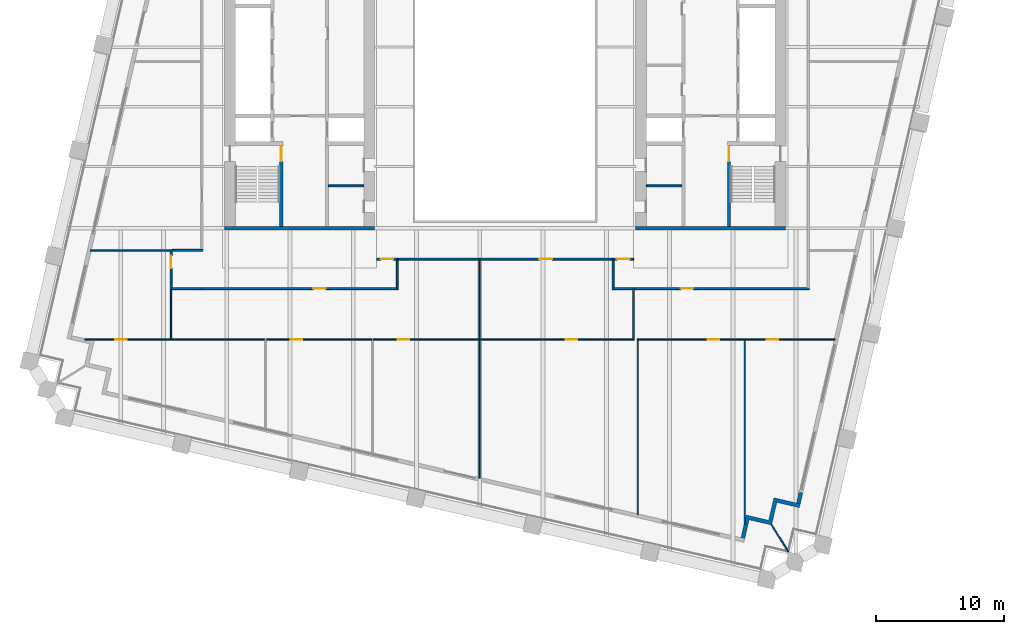
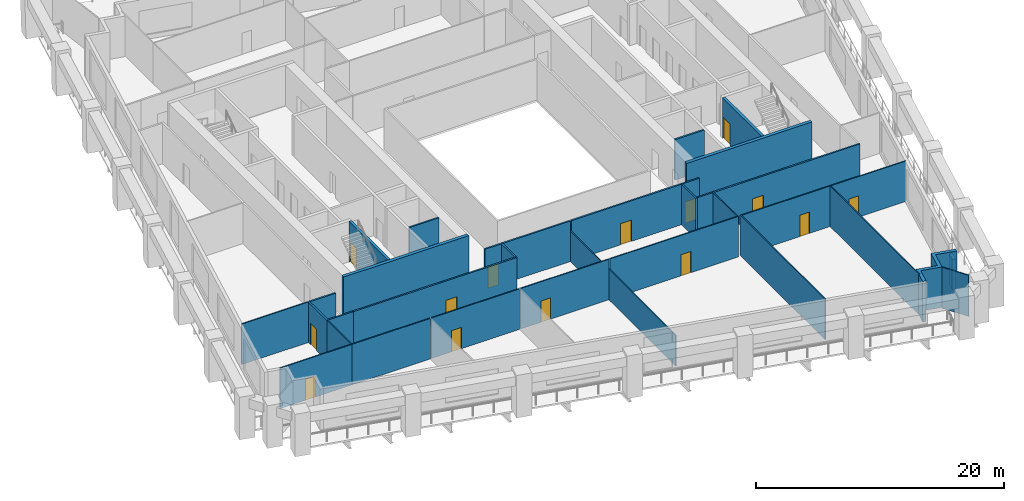
# One storey, part 4 of 10: 35 walls, 14 doors, 14 openings.
"""IFC4 building model written with IfcOpenShell, lengths in metres."""

from ifc_helpers import new_model, si_unit, direction, frame, frame_2d, origin, place, context, subcontext, project, spatial, polyline, rectangle, outline, extrude, material, layer, layer_set, type_object, element, fill, save


model = new_model("IFC4")

# Units and contexts
model_context = context("Model", 3, precision=1e-05, world=origin(), true_north=direction((0.0, 1.0)))
body_context = subcontext(model_context, "Body", "Model", "MODEL_VIEW")
ifc_project = project(units=[si_unit("LENGTHUNIT", "METRE"), si_unit("AREAUNIT", "SQUARE_METRE"), si_unit("VOLUMEUNIT", "CUBIC_METRE"), si_unit("PLANEANGLEUNIT", "RADIAN"), si_unit("MASSUNIT", "GRAM", prefix="KILO")], contexts=[model_context])

# Site, building, storey
site_placement = place(None, origin())
site = spatial("IfcSite", under=ifc_project, at=site_placement, CompositionType="ELEMENT")
building_placement = place(site_placement, origin())
building = spatial("IfcBuilding", under=site, at=building_placement, Name="Ogive Exchange Tower", CompositionType="ELEMENT")
storey_placement = place(building_placement, frame((0.0, 0.0, 147.60009765625)))
storey = spatial("IfcBuildingStorey", under=building, at=storey_placement, Name="L32", CompositionType="ELEMENT", Elevation=147.60009765625)

# Walls
ifc_material_1 = material(Name="Gypsum board partition")
ifc_layer_1 = layer(ifc_material_1, 0.14990234375)
ifc_layer_set_1 = layer_set([ifc_layer_1], Name="Core room partition 150 gypsum")
wall_type_1 = type_object("IfcWallType", Name="Core room partition 150 gypsum", PredefinedType="PARTITIONING", material=ifc_layer_set_1)
for number, where, z_axis, x_axis, name in (
    (1, (-13.75, 0.699951171875, 0.0), (0.0, 0.0, 1.0), (1.0, 0.0, 0.0), "W south room partition"),
    (2, (11.0, 0.699951171875, 0.0), (0.0, 0.0, 1.0), (1.0, 0.0, 0.0), "E south room partition"),
):
    element("IfcWall", number, at=place(storey_placement, frame(where, z_axis=z_axis, x_axis=x_axis)), inside=storey, type_object=wall_type_1, Name=name, PredefinedType="PARTITIONING", context=body_context, shape_type="SweptSolid", body=[
        extrude(rectangle(XDim=2.75, YDim=0.14990234375, at=frame_2d((1.375, 0.0))), origin(), (0.0, 0.0, 1.0), 4.0),
    ])

# Wall, opening, door
ifc_material_2 = material(Name="Fire partition EI 60 150")
ifc_layer_2 = layer(ifc_material_2, 0.14990234375)
ifc_layer_set_2 = layer_set([ifc_layer_2], Name="Fire partition EI 60 150")
wall_type_2 = type_object("IfcWallType", Name="Fire partition EI 60 150", PredefinedType="PARTITIONING", material=ifc_layer_set_2)
wall_1_placement = place(storey_placement, frame((-26.0, -7.364990234375, 0.0), z_axis=(0.0, 0.0, 1.0), x_axis=(0.0, 1.0, 0.0)))
wall_1 = element("IfcWall", 3, at=wall_1_placement, inside=storey, type_object=wall_type_2, Name="L32-PWL-003", PredefinedType="PARTITIONING", context=body_context, shape_type="SweptSolid", body=[
    extrude(rectangle(XDim=3.094970703125, YDim=0.14990234375, at=frame_2d((1.54736328125, 0.0))), origin(), (0.0, 0.0, 1.0), 4.0),
])
opening_1_placement = place(wall_1_placement, frame((1.64501953125, 0.0, 0.0)))
opening_1 = element("IfcOpeningElement", 4, at=opening_1_placement, cuts=wall_1, Name="Opening L32-I16", PredefinedType="OPENING", context=body_context, shape_type="SweptSolid", body=[
    extrude(rectangle(XDim=1.0, YDim=2.10009765625, at=frame_2d((0.5, 1.050048828125))), frame((0.0, 0.0849609375, 0.0), z_axis=(0.0, -1.0, 0.0), x_axis=(1.0, 0.0, 0.0)), (0.0, 0.0, 1.0), 0.169921875),
])
ifc_material_3 = material(Name="Fire door FD 30S 1000 x 2100")
door_type_1 = type_object("IfcDoorType", Name="Fire door FD 30S 1000 x 2100", OperationType="NOTDEFINED", PredefinedType="DOOR", material=ifc_material_3)
door_1_placement = place(opening_1_placement, origin())
door_1 = element("IfcDoor", 5, at=door_1_placement, inside=storey, type_object=door_type_1, Name="L32-IDR-016", ObjectType="DT3", OperationType="SINGLE_SWING_LEFT", OverallHeight=2.10009765625, OverallWidth=1.0, PredefinedType="DOOR", context=body_context, shape_type="SweptSolid", body=[
    extrude(rectangle(XDim=1.0, YDim=2.10009765625, at=frame_2d((0.5, 1.050048828125))), frame((0.0, 0.02490234375, 0.0), z_axis=(0.0, -1.0, 0.0), x_axis=(1.0, 0.0, 0.0)), (0.0, 0.0, 1.0), 0.050048828125),
])
fill(opening_1, door_1)

# Walls
wall_2_placement = place(storey_placement, frame((-25.925048828125, -4.320068359375, 0.0), z_axis=(0.0, 0.0, 1.0), x_axis=(1.0, 0.0, 0.0)))
element("IfcWall", 6, at=wall_2_placement, inside=storey, type_object=wall_type_2, Name="L32-PWL-005", PredefinedType="PARTITIONING", context=body_context, shape_type="SweptSolid", body=[
    extrude(rectangle(XDim=2.400146484375, YDim=0.14990234375, at=frame_2d((1.2001953125, 0.0))), origin(), (0.0, 0.0, 1.0), 4.0),
])
wall_3_placement = place(storey_placement, frame((-23.60009765625, -7.2900390625, 0.0), z_axis=(0.0, 0.0, 1.0), x_axis=(-1.0, 0.0, 0.0)))
element("IfcWall", 7, at=wall_3_placement, inside=storey, type_object=wall_type_2, Name="L32-PWL-007", PredefinedType="PARTITIONING", context=body_context, shape_type="SweptSolid", body=[
    extrude(rectangle(XDim=2.349853515625, YDim=0.14990234375, at=frame_2d((1.1748046875, 0.0))), origin(), (0.0, 0.0, 1.0), 4.0),
])

# Wall, opening, door
wall_4_placement = place(storey_placement, frame((-8.324951171875, -7.300048828125, 0.0), z_axis=(0.0, 0.0, 1.0), x_axis=(-1.0, 0.0, 0.0)))
wall_4 = element("IfcWall", 8, at=wall_4_placement, inside=storey, type_object=wall_type_2, Name="L32-PWL-021", PredefinedType="PARTITIONING", context=body_context, shape_type="SweptSolid", body=[
    extrude(rectangle(XDim=15.275146484375, YDim=0.14990234375, at=frame_2d((7.6376953125, 0.0))), origin(), (0.0, 0.0, 1.0), 4.0),
])
opening_2_placement = place(wall_4_placement, frame((5.625, 0.0, 0.0)))
opening_2 = element("IfcOpeningElement", 9, at=opening_2_placement, cuts=wall_4, Name="Opening L32-I15", PredefinedType="OPENING", context=body_context, shape_type="SweptSolid", body=[
    extrude(rectangle(XDim=1.0, YDim=2.10009765625, at=frame_2d((0.5, 1.050048828125))), frame((0.0, 0.0849609375, 0.0), z_axis=(0.0, -1.0, 0.0), x_axis=(1.0, 0.0, 0.0)), (0.0, 0.0, 1.0), 0.169921875),
])
door_2_placement = place(opening_2_placement, origin())
door_2 = element("IfcDoor", 10, at=door_2_placement, inside=storey, type_object=door_type_1, Name="L32-IDR-015", ObjectType="DT3", OperationType="SINGLE_SWING_LEFT", OverallHeight=2.10009765625, OverallWidth=1.0, PredefinedType="DOOR", context=body_context, shape_type="SweptSolid", body=[
    extrude(rectangle(XDim=1.0, YDim=2.10009765625, at=frame_2d((0.5, 1.050048828125))), frame((0.0, 0.02490234375, 0.0), z_axis=(0.0, -1.0, 0.0), x_axis=(1.0, 0.0, 0.0)), (0.0, 0.0, 1.0), 0.050048828125),
])
fill(opening_2, door_2)

# Walls
wall_5_placement = place(storey_placement, frame((-8.39990234375, -4.925048828125, 0.0), z_axis=(0.0, 0.0, 1.0), x_axis=(0.0, -1.0, 0.0)))
element("IfcWall", 11, at=wall_5_placement, inside=storey, type_object=wall_type_2, Name="L32-PWL-022", PredefinedType="PARTITIONING", context=body_context, shape_type="SweptSolid", body=[
    extrude(rectangle(XDim=2.300048828125, YDim=0.14990234375, at=frame_2d((1.14990234375, 0.0))), origin(), (0.0, 0.0, 1.0), 4.0),
])
wall_6_placement = place(storey_placement, frame((-2.0400390625, -5.0, 0.0), z_axis=(0.0, 0.0, 1.0), x_axis=(-1.0, 0.0, 0.0)))
element("IfcWall", 12, at=wall_6_placement, inside=storey, type_object=wall_type_2, Name="L32-PWL-036", PredefinedType="PARTITIONING", context=body_context, shape_type="SweptSolid", body=[
    extrude(rectangle(XDim=6.284912109375, YDim=0.14990234375, at=frame_2d((3.142578125, 0.0))), origin(), (0.0, 0.0, 1.0), 4.0),
])
wall_7_placement = place(storey_placement, frame((8.39990234375, -7.375, 0.0), z_axis=(0.0, 0.0, 1.0), x_axis=(0.0, 1.0, 0.0)))
element("IfcWall", 13, at=wall_7_placement, inside=storey, type_object=wall_type_2, Name="L32-PWL-041", PredefinedType="PARTITIONING", context=body_context, shape_type="SweptSolid", body=[
    extrude(rectangle(XDim=2.449951171875, YDim=0.14990234375, at=frame_2d((1.22509765625, 0.0))), origin(), (0.0, 0.0, 1.0), 4.0),
])

# Wall, opening, door
wall_8_placement = place(storey_placement, frame((8.324951171875, -5.0, 0.0), z_axis=(0.0, 0.0, 1.0), x_axis=(-1.0, 0.0, 0.0)))
wall_8 = element("IfcWall", 14, at=wall_8_placement, inside=storey, type_object=wall_type_2, Name="L32-PWL-042", PredefinedType="PARTITIONING", context=body_context, shape_type="SweptSolid", body=[
    extrude(rectangle(XDim=10.264892578125, YDim=0.14990234375, at=frame_2d((5.13232421875, 0.0))), origin(), (0.0, 0.0, 1.0), 4.0),
])
opening_3_placement = place(wall_8_placement, frame((4.6650390625, 0.0, 0.0)))
opening_3 = element("IfcOpeningElement", 15, at=opening_3_placement, cuts=wall_8, Name="Opening L32-I14", PredefinedType="OPENING", context=body_context, shape_type="SweptSolid", body=[
    extrude(rectangle(XDim=1.0, YDim=2.10009765625, at=frame_2d((0.5, 1.050048828125))), frame((0.0, 0.0849609375, 0.0), z_axis=(0.0, -1.0, 0.0), x_axis=(1.0, 0.0, 0.0)), (0.0, 0.0, 1.0), 0.169921875),
])
door_3_placement = place(opening_3_placement, origin())
door_3 = element("IfcDoor", 16, at=door_3_placement, inside=storey, type_object=door_type_1, Name="L32-IDR-014", ObjectType="DT3", OperationType="SINGLE_SWING_LEFT", OverallHeight=2.10009765625, OverallWidth=1.0, PredefinedType="DOOR", context=body_context, shape_type="SweptSolid", body=[
    extrude(rectangle(XDim=1.0, YDim=2.10009765625, at=frame_2d((0.5, 1.050048828125))), frame((0.0, 0.02490234375, 0.0), z_axis=(0.0, -1.0, 0.0), x_axis=(1.0, 0.0, 0.0)), (0.0, 0.0, 1.0), 0.050048828125),
])
fill(opening_3, door_3)

# Wall
wall_9_placement = place(storey_placement, frame((9.949951171875, -7.300048828125, 0.0), z_axis=(0.0, 0.0, 1.0), x_axis=(-1.0, 0.0, 0.0)))
element("IfcWall", 17, at=wall_9_placement, inside=storey, type_object=wall_type_2, Name="L32-PWL-048", PredefinedType="PARTITIONING", context=body_context, shape_type="SweptSolid", body=[
    extrude(rectangle(XDim=1.474853515625, YDim=0.14990234375, at=frame_2d((0.7373046875, 0.0))), origin(), (0.0, 0.0, 1.0), 4.0),
])

# Wall, opening, door
wall_10_placement = place(storey_placement, frame((23.675048828125, -7.300048828125, 0.0), z_axis=(0.0, 0.0, 1.0), x_axis=(-1.0, 0.0, 0.0)))
wall_10 = element("IfcWall", 18, at=wall_10_placement, inside=storey, type_object=wall_type_2, Name="L32-PWL-054", PredefinedType="PARTITIONING", context=body_context, shape_type="SweptSolid", body=[
    extrude(rectangle(XDim=13.625, YDim=0.14990234375, at=frame_2d((6.8125, 0.0))), origin(), (0.0, 0.0, 1.0), 4.0),
])
opening_4_placement = place(wall_10_placement, frame((9.02490234375, 0.0, 0.0)))
opening_4 = element("IfcOpeningElement", 19, at=opening_4_placement, cuts=wall_10, Name="Opening L32-I13", PredefinedType="OPENING", context=body_context, shape_type="SweptSolid", body=[
    extrude(rectangle(XDim=1.0, YDim=2.10009765625, at=frame_2d((0.5, 1.050048828125))), frame((0.0, 0.0849609375, 0.0), z_axis=(0.0, -1.0, 0.0), x_axis=(1.0, 0.0, 0.0)), (0.0, 0.0, 1.0), 0.169921875),
])
door_4_placement = place(opening_4_placement, origin())
door_4 = element("IfcDoor", 20, at=door_4_placement, inside=storey, type_object=door_type_1, Name="L32-IDR-013", ObjectType="DT3", OperationType="SINGLE_SWING_LEFT", OverallHeight=2.10009765625, OverallWidth=1.0, PredefinedType="DOOR", context=body_context, shape_type="SweptSolid", body=[
    extrude(rectangle(XDim=1.0, YDim=2.10009765625, at=frame_2d((0.5, 1.050048828125))), frame((0.0, 0.02490234375, 0.0), z_axis=(0.0, -1.0, 0.0), x_axis=(1.0, 0.0, 0.0)), (0.0, 0.0, 1.0), 0.050048828125),
])
fill(opening_4, door_4)

wall_11_placement = place(storey_placement, frame((-8.39990234375, -5.0, 0.0), z_axis=(0.0, 0.0, 1.0), x_axis=(-1.0, 0.0, 0.0)))
wall_11 = element("IfcWall", 21, at=wall_11_placement, inside=storey, type_object=wall_type_2, Name="L32-PWL-065", PredefinedType="PARTITIONING", context=body_context, shape_type="SweptSolid", body=[
    extrude(rectangle(XDim=1.60009765625, YDim=0.14990234375, at=frame_2d((0.800048828125, 0.0))), origin(), (0.0, 0.0, 1.0), 4.0),
])
opening_5_placement = place(wall_11_placement, frame((0.300048828125, 0.0, 0.0)))
opening_5 = element("IfcOpeningElement", 22, at=opening_5_placement, cuts=wall_11, Name="Opening L32-I24", PredefinedType="OPENING", context=body_context, shape_type="SweptSolid", body=[
    extrude(rectangle(XDim=1.0, YDim=2.10009765625, at=frame_2d((0.5, 1.050048828125))), frame((0.0, 0.0849609375, 0.0), z_axis=(0.0, -1.0, 0.0), x_axis=(1.0, 0.0, 0.0)), (0.0, 0.0, 1.0), 0.169921875),
])
door_5_placement = place(opening_5_placement, origin())
door_5 = element("IfcDoor", 23, at=door_5_placement, inside=storey, type_object=door_type_1, Name="L32-IDR-024", ObjectType="DT3", OperationType="SINGLE_SWING_RIGHT", OverallHeight=2.10009765625, OverallWidth=1.0, PredefinedType="DOOR", context=body_context, shape_type="SweptSolid", body=[
    extrude(rectangle(XDim=1.0, YDim=2.10009765625, at=frame_2d((0.5, 1.050048828125))), frame((0.0, 0.02490234375, 0.0), z_axis=(0.0, -1.0, 0.0), x_axis=(1.0, 0.0, 0.0)), (0.0, 0.0, 1.0), 0.050048828125),
])
fill(opening_5, door_5)

wall_12_placement = place(storey_placement, frame((10.0, -5.0, 0.0), z_axis=(0.0, 0.0, 1.0), x_axis=(-1.0, 0.0, 0.0)))
wall_12 = element("IfcWall", 24, at=wall_12_placement, inside=storey, type_object=wall_type_2, Name="L32-PWL-067", PredefinedType="PARTITIONING", context=body_context, shape_type="SweptSolid", body=[
    extrude(rectangle(XDim=1.60009765625, YDim=0.14990234375, at=frame_2d((0.800048828125, 0.0))), origin(), (0.0, 0.0, 1.0), 4.0),
])
opening_6_placement = place(wall_12_placement, frame((0.300048828125, 0.0, 0.0)))
opening_6 = element("IfcOpeningElement", 25, at=opening_6_placement, cuts=wall_12, Name="Opening L32-I26", PredefinedType="OPENING", context=body_context, shape_type="SweptSolid", body=[
    extrude(rectangle(XDim=1.0, YDim=2.10009765625, at=frame_2d((0.5, 1.050048828125))), frame((0.0, 0.0849609375, 0.0), z_axis=(0.0, -1.0, 0.0), x_axis=(1.0, 0.0, 0.0)), (0.0, 0.0, 1.0), 0.169921875),
])
door_6_placement = place(opening_6_placement, origin())
door_6 = element("IfcDoor", 26, at=door_6_placement, inside=storey, type_object=door_type_1, Name="L32-IDR-026", ObjectType="DT3", OperationType="SINGLE_SWING_LEFT", OverallHeight=2.10009765625, OverallWidth=1.0, PredefinedType="DOOR", context=body_context, shape_type="SweptSolid", body=[
    extrude(rectangle(XDim=1.0, YDim=2.10009765625, at=frame_2d((0.5, 1.050048828125))), frame((0.0, 0.02490234375, 0.0), z_axis=(0.0, -1.0, 0.0), x_axis=(1.0, 0.0, 0.0)), (0.0, 0.0, 1.0), 0.050048828125),
])
fill(opening_6, door_6)

# Walls
ifc_material_4 = material(Name="Precast concrete C40/50", Category="concrete")
ifc_layer_3 = layer(ifc_material_4, 0.300048828125)
ifc_layer_set_3 = layer_set([ifc_layer_3], Name="Limestone-faced wall 300")
wall_type_3 = type_object("IfcWallType", Name="Limestone-faced wall 300", PredefinedType="STANDARD", material=ifc_layer_set_3)
wall_13_placement = place(storey_placement, frame((22.8203125, -24.015625, 0.0), z_axis=(0.0, 0.0, 1.0), x_axis=(0.225107657095, 0.974333896935, 0.0)))
element("IfcWall", 27, at=wall_13_placement, inside=storey, type_object=wall_type_3, Name="External wall E2", PredefinedType="STANDARD", context=body_context, shape_type="SweptSolid", body=[
    extrude(rectangle(XDim=0.8623046875, YDim=0.300048828125, at=frame_2d((0.43115234375, 0.0))), origin(), (0.0, 0.0, 1.0), 3.02001953125),
])
wall_14_placement = place(storey_placement, origin())
element("IfcWall", 28, at=wall_14_placement, inside=storey, type_object=wall_type_3, Name="External corner wall C1", PredefinedType="STANDARD", context=body_context, shape_type="SweptSolid", body=[
    extrude(outline(polyline([(20.515380859375, -25.330810546875), (20.92041015625, -23.576904296875), (22.966552734375, -24.04931640625), (22.89892578125, -24.341552734375), (21.145263671875, -23.936767578125), (20.740234375, -25.690673828125), (18.986328125, -25.28564453125), (18.64892578125, -26.747314453125), (18.356689453125, -26.6796875), (18.76171875, -24.92578125), (20.515380859375, -25.330810546875)])), origin(), (0.0, 0.0, 1.0), 4.0),
])
ifc_material_5 = material(Name="Laminated safety glass in steel frame", Category="steel")
ifc_layer_4 = layer(ifc_material_5, 0.10009765625)
ifc_layer_set_4 = layer_set([ifc_layer_4], Name="Loggia end screen 100")
wall_type_4 = type_object("IfcWallType", Name="Loggia end screen 100", PredefinedType="STANDARD", material=ifc_layer_set_4)
wall_15_placement = place(storey_placement, frame((20.740234375, -25.690673828125, -0.050048828125), z_axis=(0.0, 0.0, 1.0), x_axis=(0.529972121605, -0.848015064914, 0.0)))
element("IfcWall", 29, at=wall_15_placement, inside=storey, type_object=wall_type_4, Name="Loggia end screen C1", PredefinedType="STANDARD", context=body_context, shape_type="SweptSolid", body=[
    extrude(rectangle(XDim=2.454833984375, YDim=0.10009765625, at=frame_2d((1.2275390625, 0.0))), origin(), (0.0, 0.0, 1.0), 4.050048828125),
])

# Wall, opening, door
ifc_material_6 = material(Name="Partition 100 gypsum")
ifc_layer_5 = layer(ifc_material_6, 0.10009765625)
ifc_layer_set_5 = layer_set([ifc_layer_5], Name="Partition 100 gypsum")
wall_type_5 = type_object("IfcWallType", Name="Partition 100 gypsum", PredefinedType="PARTITIONING", material=ifc_layer_set_5)
wall_16_placement = place(storey_placement, frame((-26.0, -11.25, 0.0), z_axis=(0.0, 0.0, 1.0), x_axis=(-1.0, 0.0, 0.0)))
wall_16 = element("IfcWall", 30, at=wall_16_placement, inside=storey, type_object=wall_type_5, Name="L32-PWL-001", PredefinedType="PARTITIONING", context=body_context, shape_type="SweptSolid", body=[
    extrude(rectangle(XDim=6.718017578125, YDim=0.10009765625, at=frame_2d((3.35888671875, 0.0))), origin(), (0.0, 0.0, 1.0), 4.0),
])
opening_7_placement = place(wall_16_placement, frame((3.449951171875, 0.0, 0.0)))
opening_7 = element("IfcOpeningElement", 31, at=opening_7_placement, cuts=wall_16, Name="Opening L32-I22", PredefinedType="OPENING", context=body_context, shape_type="SweptSolid", body=[
    extrude(rectangle(XDim=0.89990234375, YDim=2.10009765625, at=frame_2d((0.449951171875, 1.050048828125))), frame((0.0, 0.06005859375, 0.0), z_axis=(0.0, -1.0, 0.0), x_axis=(1.0, 0.0, 0.0)), (0.0, 0.0, 1.0), 0.1201171875),
])
ifc_material_7 = material(Name="Door 900 x 2100")
door_type_2 = type_object("IfcDoorType", Name="Door 900 x 2100", OperationType="NOTDEFINED", PredefinedType="DOOR", material=ifc_material_7)
door_7_placement = place(opening_7_placement, frame((0.89990234375, 0.0, 0.0), z_axis=(0.0, 0.0, 1.0), x_axis=(-1.0, 0.0, 0.0)))
door_7 = element("IfcDoor", 32, at=door_7_placement, inside=storey, type_object=door_type_2, Name="L32-IDR-022", ObjectType="DT1", OperationType="SINGLE_SWING_RIGHT", OverallHeight=2.10009765625, OverallWidth=0.89990234375, PredefinedType="DOOR", context=body_context, shape_type="SweptSolid", body=[
    extrude(rectangle(XDim=0.89990234375, YDim=2.10009765625, at=frame_2d((0.449951171875, 1.050048828125))), frame((0.0, 0.02490234375, 0.0), z_axis=(0.0, -1.0, 0.0), x_axis=(1.0, 0.0, 0.0)), (0.0, 0.0, 1.0), 0.050048828125),
])
fill(opening_7, door_7)

# Walls
wall_17_placement = place(storey_placement, frame((-26.0, -11.199951171875, 0.0), z_axis=(0.0, 0.0, 1.0), x_axis=(0.0, 1.0, 0.0)))
element("IfcWall", 33, at=wall_17_placement, inside=storey, type_object=wall_type_5, Name="L32-PWL-002", PredefinedType="PARTITIONING", context=body_context, shape_type="SweptSolid", body=[
    extrude(rectangle(XDim=3.8349609375, YDim=0.10009765625, at=frame_2d((1.91748046875, 0.0))), origin(), (0.0, 0.0, 1.0), 4.0),
])
wall_18_placement = place(storey_placement, frame((-26.074951171875, -4.320068359375, 0.0), z_axis=(0.0, 0.0, 1.0), x_axis=(-1.0, 0.0, 0.0)))
element("IfcWall", 34, at=wall_18_placement, inside=storey, type_object=wall_type_5, Name="L32-PWL-004", PredefinedType="PARTITIONING", context=body_context, shape_type="SweptSolid", body=[
    extrude(rectangle(XDim=6.217041015625, YDim=0.10009765625, at=frame_2d((3.1083984375, 0.0))), origin(), (0.0, 0.0, 1.0), 4.0),
])
wall_19_placement = place(storey_placement, frame((-18.699951171875, -11.25, 0.0), z_axis=(0.0, 0.0, 1.0), x_axis=(-1.0, 0.0, 0.0)))
element("IfcWall", 35, at=wall_19_placement, inside=storey, type_object=wall_type_5, Name="L32-PWL-014", PredefinedType="PARTITIONING", context=body_context, shape_type="SweptSolid", body=[
    extrude(rectangle(XDim=7.300048828125, YDim=0.10009765625, at=frame_2d((3.64990234375, 0.0))), origin(), (0.0, 0.0, 1.0), 4.0),
])

# Wall, opening, door
wall_20_placement = place(storey_placement, frame((-10.3701171875, -11.25, 0.0), z_axis=(0.0, 0.0, 1.0), x_axis=(-1.0, 0.0, 0.0)))
wall_20 = element("IfcWall", 36, at=wall_20_placement, inside=storey, type_object=wall_type_5, Name="L32-PWL-020", PredefinedType="PARTITIONING", context=body_context, shape_type="SweptSolid", body=[
    extrude(rectangle(XDim=8.22998046875, YDim=0.10009765625, at=frame_2d((4.114990234375, 0.0))), origin(), (0.0, 0.0, 1.0), 4.0),
])
opening_8_placement = place(wall_20_placement, frame((5.429931640625, 0.0, 0.0)))
opening_8 = element("IfcOpeningElement", 37, at=opening_8_placement, cuts=wall_20, Name="Opening L32-I21", PredefinedType="OPENING", context=body_context, shape_type="SweptSolid", body=[
    extrude(rectangle(XDim=0.89990234375, YDim=2.10009765625, at=frame_2d((0.449951171875, 1.050048828125))), frame((0.0, 0.06005859375, 0.0), z_axis=(0.0, -1.0, 0.0), x_axis=(1.0, 0.0, 0.0)), (0.0, 0.0, 1.0), 0.1201171875),
])
door_8_placement = place(opening_8_placement, origin())
door_8 = element("IfcDoor", 38, at=door_8_placement, inside=storey, type_object=door_type_2, Name="L32-IDR-021", ObjectType="DT1", OperationType="SINGLE_SWING_LEFT", OverallHeight=2.10009765625, OverallWidth=0.89990234375, PredefinedType="DOOR", context=body_context, shape_type="SweptSolid", body=[
    extrude(rectangle(XDim=0.89990234375, YDim=2.10009765625, at=frame_2d((0.449951171875, 1.050048828125))), frame((0.0, 0.02490234375, 0.0), z_axis=(0.0, -1.0, 0.0), x_axis=(1.0, 0.0, 0.0)), (0.0, 0.0, 1.0), 0.050048828125),
])
fill(opening_8, door_8)

# Wall
wall_21_placement = place(storey_placement, frame((-1.989990234375, -22.06494140625, 0.0), z_axis=(0.0, 0.0, 1.0), x_axis=(0.0, 1.0, 0.0)))
element("IfcWall", 39, at=wall_21_placement, inside=storey, type_object=wall_type_5, Name="L32-PWL-033", PredefinedType="PARTITIONING", context=body_context, shape_type="SweptSolid", body=[
    extrude(rectangle(XDim=10.864990234375, YDim=0.10009765625, at=frame_2d((5.4326171875, 0.0))), origin(), (0.0, 0.0, 1.0), 3.02001953125),
])

# Wall, opening, door
wall_22_placement = place(storey_placement, frame((-2.0400390625, -11.25, 0.0), z_axis=(0.0, 0.0, 1.0), x_axis=(-1.0, 0.0, 0.0)))
wall_22 = element("IfcWall", 40, at=wall_22_placement, inside=storey, type_object=wall_type_5, Name="L32-PWL-034", PredefinedType="PARTITIONING", context=body_context, shape_type="SweptSolid", body=[
    extrude(rectangle(XDim=8.22998046875, YDim=0.10009765625, at=frame_2d((4.114990234375, 0.0))), origin(), (0.0, 0.0, 1.0), 4.0),
])
opening_9_placement = place(wall_22_placement, frame((5.429931640625, 0.0, 0.0)))
opening_9 = element("IfcOpeningElement", 41, at=opening_9_placement, cuts=wall_22, Name="Opening L32-I20", PredefinedType="OPENING", context=body_context, shape_type="SweptSolid", body=[
    extrude(rectangle(XDim=0.89990234375, YDim=2.10009765625, at=frame_2d((0.449951171875, 1.050048828125))), frame((0.0, 0.06005859375, 0.0), z_axis=(0.0, -1.0, 0.0), x_axis=(1.0, 0.0, 0.0)), (0.0, 0.0, 1.0), 0.1201171875),
])
door_9_placement = place(opening_9_placement, origin())
door_9 = element("IfcDoor", 42, at=door_9_placement, inside=storey, type_object=door_type_2, Name="L32-IDR-020", ObjectType="DT1", OperationType="SINGLE_SWING_LEFT", OverallHeight=2.10009765625, OverallWidth=0.89990234375, PredefinedType="DOOR", context=body_context, shape_type="SweptSolid", body=[
    extrude(rectangle(XDim=0.89990234375, YDim=2.10009765625, at=frame_2d((0.449951171875, 1.050048828125))), frame((0.0, 0.02490234375, 0.0), z_axis=(0.0, -1.0, 0.0), x_axis=(1.0, 0.0, 0.0)), (0.0, 0.0, 1.0), 0.050048828125),
])
fill(opening_9, door_9)

# Wall
wall_23_placement = place(storey_placement, frame((-1.989990234375, -11.199951171875, 0.0), z_axis=(0.0, 0.0, 1.0), x_axis=(0.0, 1.0, 0.0)))
element("IfcWall", 43, at=wall_23_placement, inside=storey, type_object=wall_type_5, Name="L32-PWL-035", PredefinedType="PARTITIONING", context=body_context, shape_type="SweptSolid", body=[
    extrude(rectangle(XDim=6.27490234375, YDim=0.10009765625, at=frame_2d((3.137451171875, 0.0))), origin(), (0.0, 0.0, 1.0), 3.02001953125),
])

# Wall, opening, door
wall_24_placement = place(storey_placement, frame((10.050048828125, -11.25, 0.0), z_axis=(0.0, 0.0, 1.0), x_axis=(-1.0, 0.0, 0.0)))
wall_24 = element("IfcWall", 44, at=wall_24_placement, inside=storey, type_object=wall_type_5, Name="L32-PWL-046", PredefinedType="PARTITIONING", context=body_context, shape_type="SweptSolid", body=[
    extrude(rectangle(XDim=11.989990234375, YDim=0.10009765625, at=frame_2d((5.9951171875, 0.0))), origin(), (0.0, 0.0, 1.0), 4.0),
])
opening_10_placement = place(wall_24_placement, frame((4.43994140625, 0.0, 0.0)))
opening_10 = element("IfcOpeningElement", 45, at=opening_10_placement, cuts=wall_24, Name="Opening L32-I19", PredefinedType="OPENING", context=body_context, shape_type="SweptSolid", body=[
    extrude(rectangle(XDim=0.89990234375, YDim=2.10009765625, at=frame_2d((0.449951171875, 1.050048828125))), frame((0.0, 0.06005859375, 0.0), z_axis=(0.0, -1.0, 0.0), x_axis=(1.0, 0.0, 0.0)), (0.0, 0.0, 1.0), 0.1201171875),
])
door_10_placement = place(opening_10_placement, frame((0.89990234375, 0.0, 0.0), z_axis=(0.0, 0.0, 1.0), x_axis=(-1.0, 0.0, 0.0)))
door_10 = element("IfcDoor", 46, at=door_10_placement, inside=storey, type_object=door_type_2, Name="L32-IDR-019", ObjectType="DT1", OperationType="SINGLE_SWING_LEFT", OverallHeight=2.10009765625, OverallWidth=0.89990234375, PredefinedType="DOOR", context=body_context, shape_type="SweptSolid", body=[
    extrude(rectangle(XDim=0.89990234375, YDim=2.10009765625, at=frame_2d((0.449951171875, 1.050048828125))), frame((0.0, 0.02490234375, 0.0), z_axis=(0.0, -1.0, 0.0), x_axis=(1.0, 0.0, 0.0)), (0.0, 0.0, 1.0), 0.050048828125),
])
fill(opening_10, door_10)

# Walls
wall_25_placement = place(storey_placement, frame((10.0, -11.199951171875, 0.0), z_axis=(0.0, 0.0, 1.0), x_axis=(0.0, 1.0, 0.0)))
element("IfcWall", 47, at=wall_25_placement, inside=storey, type_object=wall_type_5, Name="L32-PWL-047", PredefinedType="PARTITIONING", context=body_context, shape_type="SweptSolid", body=[
    extrude(rectangle(XDim=3.974853515625, YDim=0.10009765625, at=frame_2d((1.9873046875, 0.0))), origin(), (0.0, 0.0, 1.0), 4.0),
])
wall_26_placement = place(storey_placement, frame((10.320068359375, -24.906982421875, 0.0), z_axis=(0.0, 0.0, 1.0), x_axis=(0.0, 1.0, 0.0)))
element("IfcWall", 48, at=wall_26_placement, inside=storey, type_object=wall_type_5, Name="L32-PWL-049", PredefinedType="PARTITIONING", context=body_context, shape_type="SweptSolid", body=[
    extrude(rectangle(XDim=13.70703125, YDim=0.10009765625, at=frame_2d((6.853515625, 0.0))), origin(), (0.0, 0.0, 1.0), 4.0),
])
wall_27_placement = place(storey_placement, frame((18.64990234375, -25.654052734375, 0.0), z_axis=(0.0, 0.0, 1.0), x_axis=(0.0, 1.0, 0.0)))
element("IfcWall", 49, at=wall_27_placement, inside=storey, type_object=wall_type_5, Name="L32-PWL-050", PredefinedType="PARTITIONING", context=body_context, shape_type="SweptSolid", body=[
    extrude(rectangle(XDim=14.4541015625, YDim=0.10009765625, at=frame_2d((7.22705078125, 0.0))), origin(), (0.0, 0.0, 1.0), 4.0),
])

# Wall, opening, door
wall_28_placement = place(storey_placement, frame((18.60009765625, -11.25, 0.0), z_axis=(0.0, 0.0, 1.0), x_axis=(-1.0, 0.0, 0.0)))
wall_28 = element("IfcWall", 50, at=wall_28_placement, inside=storey, type_object=wall_type_5, Name="L32-PWL-051", PredefinedType="PARTITIONING", context=body_context, shape_type="SweptSolid", body=[
    extrude(rectangle(XDim=8.22998046875, YDim=0.10009765625, at=frame_2d((4.114990234375, 0.0))), origin(), (0.0, 0.0, 1.0), 4.0),
])
opening_11_placement = place(wall_28_placement, frame((1.929931640625, 0.0, 0.0)))
opening_11 = element("IfcOpeningElement", 51, at=opening_11_placement, cuts=wall_28, Name="Opening L32-I18", PredefinedType="OPENING", context=body_context, shape_type="SweptSolid", body=[
    extrude(rectangle(XDim=0.89990234375, YDim=2.10009765625, at=frame_2d((0.449951171875, 1.050048828125))), frame((0.0, 0.06005859375, 0.0), z_axis=(0.0, -1.0, 0.0), x_axis=(1.0, 0.0, 0.0)), (0.0, 0.0, 1.0), 0.1201171875),
])
door_11_placement = place(opening_11_placement, frame((0.89990234375, 0.0, 0.0), z_axis=(0.0, 0.0, 1.0), x_axis=(-1.0, 0.0, 0.0)))
door_11 = element("IfcDoor", 52, at=door_11_placement, inside=storey, type_object=door_type_2, Name="L32-IDR-018", ObjectType="DT1", OperationType="SINGLE_SWING_LEFT", OverallHeight=2.10009765625, OverallWidth=0.89990234375, PredefinedType="DOOR", context=body_context, shape_type="SweptSolid", body=[
    extrude(rectangle(XDim=0.89990234375, YDim=2.10009765625, at=frame_2d((0.449951171875, 1.050048828125))), frame((0.0, 0.02490234375, 0.0), z_axis=(0.0, -1.0, 0.0), x_axis=(1.0, 0.0, 0.0)), (0.0, 0.0, 1.0), 0.050048828125),
])
fill(opening_11, door_11)

wall_29_placement = place(storey_placement, frame((25.696044921875, -11.25, 0.0), z_axis=(0.0, 0.0, 1.0), x_axis=(-1.0, 0.0, 0.0)))
wall_29 = element("IfcWall", 53, at=wall_29_placement, inside=storey, type_object=wall_type_5, Name="L32-PWL-060", PredefinedType="PARTITIONING", context=body_context, shape_type="SweptSolid", body=[
    extrude(rectangle(XDim=6.99609375, YDim=0.10009765625, at=frame_2d((3.498046875, 0.0))), origin(), (0.0, 0.0, 1.0), 4.0),
])
opening_12_placement = place(wall_29_placement, frame((4.446044921875, 0.0, 0.0)))
opening_12 = element("IfcOpeningElement", 54, at=opening_12_placement, cuts=wall_29, Name="Opening L32-I17", PredefinedType="OPENING", context=body_context, shape_type="SweptSolid", body=[
    extrude(rectangle(XDim=0.89990234375, YDim=2.10009765625, at=frame_2d((0.449951171875, 1.050048828125))), frame((0.0, 0.06005859375, 0.0), z_axis=(0.0, -1.0, 0.0), x_axis=(1.0, 0.0, 0.0)), (0.0, 0.0, 1.0), 0.1201171875),
])
door_12_placement = place(opening_12_placement, frame((0.89990234375, 0.0, 0.0), z_axis=(0.0, 0.0, 1.0), x_axis=(-1.0, 0.0, 0.0)))
door_12 = element("IfcDoor", 55, at=door_12_placement, inside=storey, type_object=door_type_2, Name="L32-IDR-017", ObjectType="DT1", OperationType="SINGLE_SWING_RIGHT", OverallHeight=2.10009765625, OverallWidth=0.89990234375, PredefinedType="DOOR", context=body_context, shape_type="SweptSolid", body=[
    extrude(rectangle(XDim=0.89990234375, YDim=2.10009765625, at=frame_2d((0.449951171875, 1.050048828125))), frame((0.0, 0.02490234375, 0.0), z_axis=(0.0, -1.0, 0.0), x_axis=(1.0, 0.0, 0.0)), (0.0, 0.0, 1.0), 0.050048828125),
])
fill(opening_12, door_12)

ifc_material_8 = material(Name="Concrete C70/85", Category="concrete")
ifc_layer_6 = layer(ifc_material_8, 0.25)
ifc_layer_set_6 = layer_set([ifc_layer_6], Name="RC core wall 250 C70/85")
wall_type_6 = type_object("IfcWallType", Name="RC core wall 250 C70/85", PredefinedType="SHEAR", material=ifc_layer_set_6)
wall_30_placement = place(storey_placement, frame((-17.425048828125, -2.449951171875, 0.0), z_axis=(0.0, 0.0, 1.0), x_axis=(0.0, 1.0, 0.0)))
wall_30 = element("IfcWall", 56, at=wall_30_placement, inside=storey, type_object=wall_type_6, Name="W stair S front wall", PredefinedType="SHEAR", context=body_context, shape_type="SweptSolid", body=[
    extrude(rectangle(XDim=6.300048828125, YDim=0.25, at=frame_2d((3.14990234375, 0.0))), origin(), (0.0, 0.0, 1.0), 4.0),
])
opening_13_placement = place(wall_30_placement, frame((5.050048828125, 0.0, 0.0)))
opening_13 = element("IfcOpeningElement", 57, at=opening_13_placement, cuts=wall_30, Name="Opening L32-C12", PredefinedType="OPENING", context=body_context, shape_type="SweptSolid", body=[
    extrude(rectangle(XDim=1.199951171875, YDim=2.10009765625, at=frame_2d((0.60009765625, 1.050048828125))), frame((0.0, 0.135009765625, 0.0), z_axis=(0.0, -1.0, 0.0), x_axis=(1.0, 0.0, 0.0)), (0.0, 0.0, 1.0), 0.27001953125),
])
ifc_material_9 = material(Name="Steel fire door", Category="steel")
door_type_3 = type_object("IfcDoorType", Name="Stair door FD90 1200 x 2100", OperationType="NOTDEFINED", PredefinedType="DOOR", material=ifc_material_9)
door_13_placement = place(opening_13_placement, origin())
door_13 = element("IfcDoor", 58, at=door_13_placement, inside=storey, type_object=door_type_3, Name="Stair door", ObjectType="CD5", OperationType="SINGLE_SWING_LEFT", OverallHeight=2.10009765625, OverallWidth=1.199951171875, PredefinedType="DOOR", context=body_context, shape_type="SweptSolid", body=[
    extrude(rectangle(XDim=1.199951171875, YDim=2.10009765625, at=frame_2d((0.60009765625, 1.050048828125))), frame((0.0, 0.02490234375, 0.0), z_axis=(0.0, -1.0, 0.0), x_axis=(1.0, 0.0, 0.0)), (0.0, 0.0, 1.0), 0.050048828125),
])
fill(opening_13, door_13)

wall_31_placement = place(storey_placement, frame((17.425048828125, -2.449951171875, 0.0), z_axis=(0.0, 0.0, 1.0), x_axis=(0.0, 1.0, 0.0)))
wall_31 = element("IfcWall", 59, at=wall_31_placement, inside=storey, type_object=wall_type_6, Name="E stair S front wall", PredefinedType="SHEAR", context=body_context, shape_type="SweptSolid", body=[
    extrude(rectangle(XDim=6.300048828125, YDim=0.25, at=frame_2d((3.14990234375, 0.0))), origin(), (0.0, 0.0, 1.0), 4.0),
])
opening_14_placement = place(wall_31_placement, frame((5.050048828125, 0.0, 0.0)))
opening_14 = element("IfcOpeningElement", 60, at=opening_14_placement, cuts=wall_31, Name="Opening L32-C30", PredefinedType="OPENING", context=body_context, shape_type="SweptSolid", body=[
    extrude(rectangle(XDim=1.199951171875, YDim=2.10009765625, at=frame_2d((0.60009765625, 1.050048828125))), frame((0.0, 0.135009765625, 0.0), z_axis=(0.0, -1.0, 0.0), x_axis=(1.0, 0.0, 0.0)), (0.0, 0.0, 1.0), 0.27001953125),
])
door_14_placement = place(opening_14_placement, frame((1.199951171875, 0.0, 0.0), z_axis=(0.0, 0.0, 1.0), x_axis=(-1.0, 0.0, 0.0)))
door_14 = element("IfcDoor", 61, at=door_14_placement, inside=storey, type_object=door_type_3, Name="Stair door", ObjectType="CD5", OperationType="SINGLE_SWING_RIGHT", OverallHeight=2.10009765625, OverallWidth=1.199951171875, PredefinedType="DOOR", context=body_context, shape_type="SweptSolid", body=[
    extrude(rectangle(XDim=1.199951171875, YDim=2.10009765625, at=frame_2d((0.60009765625, 1.050048828125))), frame((0.0, 0.02490234375, 0.0), z_axis=(0.0, -1.0, 0.0), x_axis=(1.0, 0.0, 0.0)), (0.0, 0.0, 1.0), 0.050048828125),
])
fill(opening_14, door_14)

# Walls
ifc_layer_7 = layer(ifc_material_8, 0.300048828125)
ifc_layer_set_7 = layer_set([ifc_layer_7], Name="RC core wall 300 C70/85")
wall_type_7 = type_object("IfcWallType", Name="RC core wall 300 C70/85", PredefinedType="SHEAR", material=ifc_layer_set_7)
for number, where, z_axis, x_axis, name in (
    (62, (-21.85009765625, -2.60009765625, 0.0), (0.0, 0.0, 1.0), (1.0, 0.0, 0.0), "W south end wall"),
    (63, (10.14990234375, -2.60009765625, 0.0), (0.0, 0.0, 1.0), (1.0, 0.0, 0.0), "E south end wall"),
):
    element("IfcWall", number, at=place(storey_placement, frame(where, z_axis=z_axis, x_axis=x_axis)), inside=storey, type_object=wall_type_7, Name=name, PredefinedType="SHEAR", context=body_context, shape_type="SweptSolid", body=[
        extrude(rectangle(XDim=11.7001953125, YDim=0.300048828125, at=frame_2d((5.85009765625, 0.0))), origin(), (0.0, 0.0, 1.0), 4.0),
    ])

save(model, "model.ifc")
